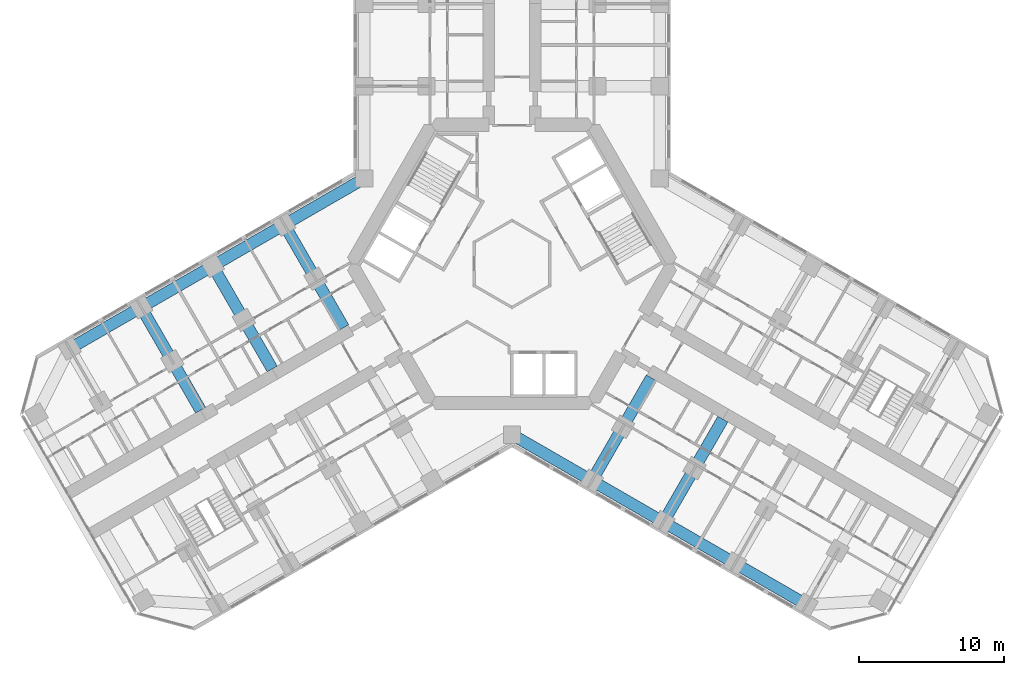
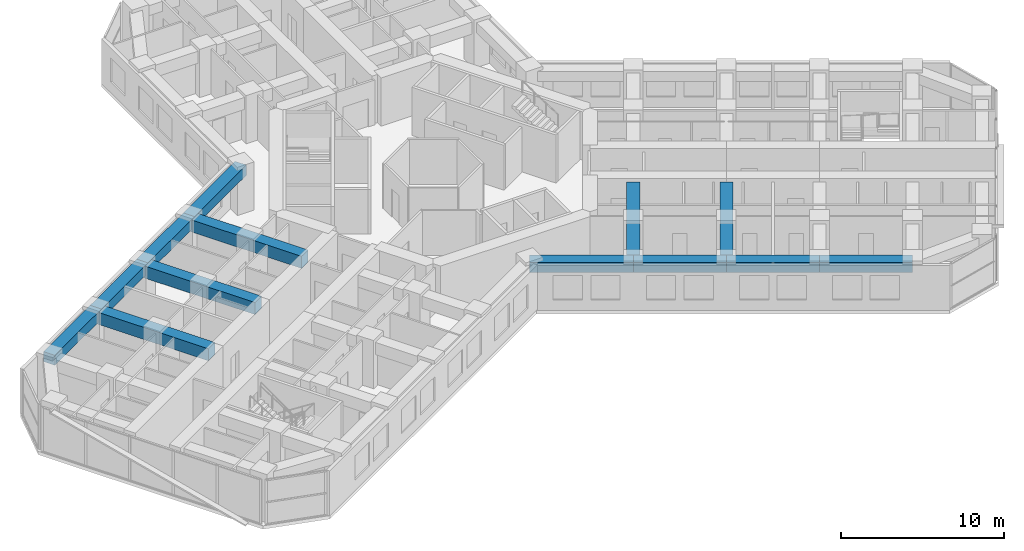
# One storey, part 4 of 20: 13 beams.
"""IFC4 building model written with IfcOpenShell, lengths in metres."""

from ifc_helpers import new_model, si_unit, direction, frame, origin, origin_2d, place, context, subcontext, project, spatial, rectangle, extrude, material, material_profile, profile_set, type_object, element, save


model = new_model("IFC4")

# Units and contexts
model_context = context("Model", 3, precision=1e-05, world=origin(), true_north=direction((0.0, 1.0)))
body_context = subcontext(model_context, "Body", "Model", "MODEL_VIEW")
ifc_project = project(units=[si_unit("LENGTHUNIT", "METRE"), si_unit("AREAUNIT", "SQUARE_METRE"), si_unit("VOLUMEUNIT", "CUBIC_METRE"), si_unit("PLANEANGLEUNIT", "RADIAN"), si_unit("MASSUNIT", "GRAM", prefix="KILO")], contexts=[model_context])

# Site, building, storey
site_placement = place(None, origin())
site = spatial("IfcSite", under=ifc_project, at=site_placement, CompositionType="ELEMENT")
building_placement = place(site_placement, origin())
building = spatial("IfcBuilding", under=site, at=building_placement, Name="Kosmar Iwan School Tower", CompositionType="ELEMENT")
storey_placement = place(building_placement, frame((0.0, 0.0, 127.39990234375)))
storey = spatial("IfcBuildingStorey", under=building, at=storey_placement, Name="L31", CompositionType="ELEMENT", Elevation=127.39990234375)

# Beams
ifc_material_1 = material(Name="Concrete C50/60", Category="concrete")
ifc_material_profile_1 = material_profile(ifc_material_1, rectangle(XDim=0.800048828125, YDim=0.75, at=origin_2d()), Name="RC 800x750")
ifc_profile_set_1 = profile_set([ifc_material_profile_1], Name="Concrete C50/60")
beam_type_1 = type_object("IfcBeamType", Name="RC edge beam 800x750", PredefinedType="BEAM", material=ifc_profile_set_1)
beam_1_placement = place(storey_placement, frame((-10.199951171875, 5.888916015625, 2.97509765625), z_axis=(-0.866030912664, -0.49999045822, 0.0), x_axis=(0.49999045822, -0.866030912664, 0.0)))
element("IfcBeam", 1, at=beam_1_placement, inside=storey, type_object=beam_type_1, Name="Edge beam BR1", PredefinedType="BEAM", context=body_context, shape_type="SweptSolid", body=[
    extrude(rectangle(XDim=0.800048828125, YDim=0.75, at=origin_2d()), origin(), (0.0, 0.0, 1.0), 6.36083984375),
])
beam_2_placement = place(storey_placement, frame((-15.708740234375, 2.70849609375, 2.97509765625), z_axis=(-0.866025820012, -0.499999279071, 0.0), x_axis=(0.499999279071, -0.866025820012, 0.0)))
element("IfcBeam", 2, at=beam_2_placement, inside=storey, type_object=beam_type_1, Name="Edge beam BR2", PredefinedType="BEAM", context=body_context, shape_type="SweptSolid", body=[
    extrude(rectangle(XDim=0.800048828125, YDim=0.75, at=origin_2d()), origin(), (0.0, 0.0, 1.0), 5.7001953125),
])
for number, where, z_axis, x_axis, name in (
    (3, (-20.645263671875, -0.1416015625, 2.97509765625), (-0.866033658841, -0.49998570155, 0.0), (0.49998570155, -0.866033658841, 0.0), "Edge beam BR3"),
    (4, (-25.58154296875, -2.991455078125, 2.97509765625), (-0.866015111908, -0.50001782563, 0.0), (0.50001782563, -0.866015111908, 0.0), "Edge beam BR4"),
):
    element("IfcBeam", number, at=place(storey_placement, frame(where, z_axis=z_axis, x_axis=x_axis)), inside=storey, type_object=beam_type_1, Name=name, PredefinedType="BEAM", context=body_context, shape_type="SweptSolid", body=[
        extrude(rectangle(XDim=0.800048828125, YDim=0.75, at=origin_2d()), origin(), (0.0, 0.0, 1.0), 5.699951171875),
    ])
beam_3_placement = place(storey_placement, frame((0.0, -11.77783203125, 2.97509765625), z_axis=(0.866014293216, -0.500019243575, 0.0), x_axis=(0.500019243575, 0.866014293216, 0.0)))
element("IfcBeam", 5, at=beam_3_placement, inside=storey, type_object=beam_type_1, Name="Edge beam CR1", PredefinedType="BEAM", context=body_context, shape_type="SweptSolid", body=[
    extrude(rectangle(XDim=0.800048828125, YDim=0.75, at=origin_2d()), origin(), (0.0, 0.0, 1.0), 6.361083984375),
])
beam_4_placement = place(storey_placement, frame((5.5087890625, -14.95849609375, 2.97509765625), z_axis=(0.866033658841, -0.49998570155, 0.0), x_axis=(0.49998570155, 0.866033658841, 0.0)))
element("IfcBeam", 6, at=beam_4_placement, inside=storey, type_object=beam_type_1, Name="Edge beam CR2", PredefinedType="BEAM", context=body_context, shape_type="SweptSolid", body=[
    extrude(rectangle(XDim=0.800048828125, YDim=0.75, at=origin_2d()), origin(), (0.0, 0.0, 1.0), 5.699951171875),
])
beam_5_placement = place(storey_placement, frame((10.445068359375, -17.808349609375, 2.97509765625), z_axis=(0.866025820012, -0.499999279071, 0.0), x_axis=(0.499999279071, 0.866025820012, 0.0)))
element("IfcBeam", 7, at=beam_5_placement, inside=storey, type_object=beam_type_1, Name="Edge beam CR3", PredefinedType="BEAM", context=body_context, shape_type="SweptSolid", body=[
    extrude(rectangle(XDim=0.800048828125, YDim=0.75, at=origin_2d()), origin(), (0.0, 0.0, 1.0), 5.7001953125),
])
beam_6_placement = place(storey_placement, frame((15.381591796875, -20.658447265625, 2.97509765625), z_axis=(0.866015111908, -0.50001782563, 0.0), x_axis=(0.50001782563, 0.866015111908, 0.0)))
element("IfcBeam", 8, at=beam_6_placement, inside=storey, type_object=beam_type_1, Name="Edge beam CR4", PredefinedType="BEAM", context=body_context, shape_type="SweptSolid", body=[
    extrude(rectangle(XDim=0.800048828125, YDim=0.75, at=origin_2d()), origin(), (0.0, 0.0, 1.0), 5.699951171875),
])
ifc_material_2 = material(Name="Concrete C50/60", Category="concrete")
ifc_material_profile_2 = material_profile(ifc_material_2, rectangle(XDim=0.800048828125, YDim=0.89990234375, at=origin_2d()), Name="RC 800x900")
ifc_profile_set_2 = profile_set([ifc_material_profile_2], Name="Concrete C50/60")
beam_type_2 = type_object("IfcBeamType", Name="RC transverse beam 800x900", PredefinedType="BEAM", material=ifc_profile_set_2)
for number, where, z_axis, x_axis, name in (
    (9, (-15.708740234375, 2.70849609375, 2.900146484375), (0.499978459874, -0.866037839625, 0.0), (0.866037839625, 0.499978459874, 0.0), "Transverse beam BR1"),
    (10, (-20.645263671875, -0.1416015625, 2.900146484375), (0.500013681986, -0.866017504342, 0.0), (0.866017504342, 0.500013681986, 0.0), "Transverse beam BR2"),
):
    element("IfcBeam", number, at=place(storey_placement, frame(where, z_axis=z_axis, x_axis=x_axis)), inside=storey, type_object=beam_type_2, Name=name, PredefinedType="BEAM", context=body_context, shape_type="SweptSolid", body=[
        extrude(rectangle(XDim=0.800048828125, YDim=0.89990234375, at=origin_2d()), origin(), (0.0, 0.0, 1.0), 8.199951171875),
    ])
for number, where, z_axis, x_axis, name in (
    (11, (-25.58154296875, -2.991455078125, 2.900146484375), (0.500000789788, -0.8660249478, 0.0), (0.8660249478, 0.500000789788, 0.0), "Transverse beam BR3"),
    (12, (5.5087890625, -14.95849609375, 2.900146484375), (0.500000789788, 0.8660249478, 0.0), (-0.8660249478, 0.500000789788, 0.0), "Transverse beam CR1"),
):
    element("IfcBeam", number, at=place(storey_placement, frame(where, z_axis=z_axis, x_axis=x_axis)), inside=storey, type_object=beam_type_2, Name=name, PredefinedType="BEAM", context=body_context, shape_type="SweptSolid", body=[
        extrude(rectangle(XDim=0.800048828125, YDim=0.89990234375, at=origin_2d()), origin(), (0.0, 0.0, 1.0), 8.2001953125),
    ])
beam_7_placement = place(storey_placement, frame((10.445068359375, -17.808349609375, 2.900146484375), z_axis=(0.500013681986, 0.866017504342, 0.0), x_axis=(-0.866017504342, 0.500013681986, 0.0)))
element("IfcBeam", 13, at=beam_7_placement, inside=storey, type_object=beam_type_2, Name="Transverse beam CR2", PredefinedType="BEAM", context=body_context, shape_type="SweptSolid", body=[
    extrude(rectangle(XDim=0.800048828125, YDim=0.89990234375, at=origin_2d()), origin(), (0.0, 0.0, 1.0), 8.199951171875),
])

save(model, "model.ifc")
